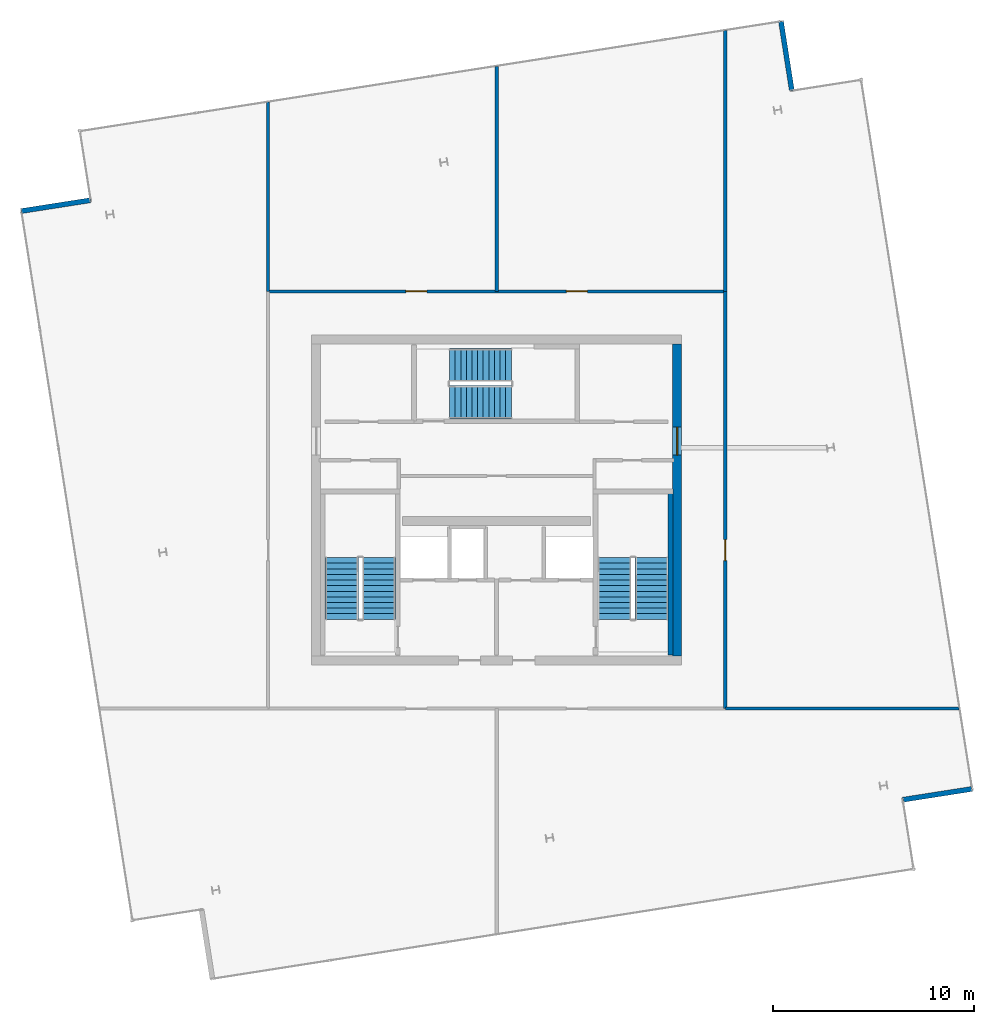
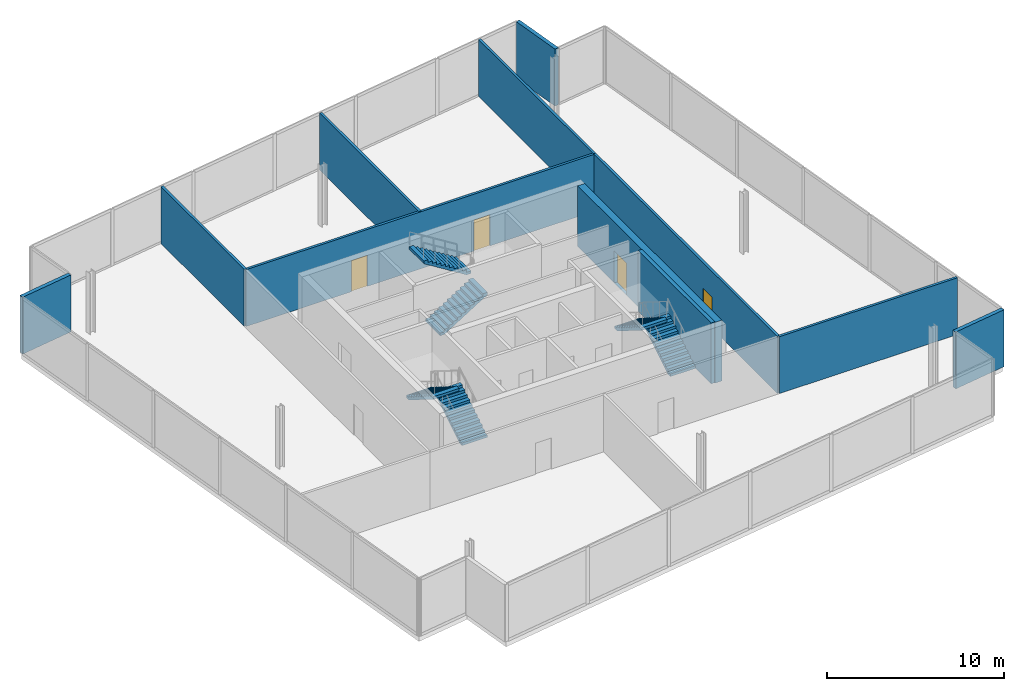
# One storey, part 12 of 13: 11 walls, 6 stair flights, 4 doors, 4 openings, 3 elements without a shape of their own.
"""IFC4 building model written with IfcOpenShell, lengths in metres."""

from ifc_helpers import new_model, si_unit, direction, frame, frame_2d, origin, place, context, subcontext, project, spatial, polyline, rectangle, outline, extrude, material, layer, layer_set, type_object, element, fill, aggregate, save


model = new_model("IFC4")

# Units and contexts
model_context = context("Model", 3, precision=1e-05, world=origin(), true_north=direction((0.0, 1.0)))
body_context = subcontext(model_context, "Body", "Model", "MODEL_VIEW")
ifc_project = project(units=[si_unit("LENGTHUNIT", "METRE"), si_unit("AREAUNIT", "SQUARE_METRE"), si_unit("VOLUMEUNIT", "CUBIC_METRE"), si_unit("PLANEANGLEUNIT", "RADIAN"), si_unit("MASSUNIT", "GRAM", prefix="KILO")], contexts=[model_context])

# Site, building, storey
site_placement = place(None, origin())
site = spatial("IfcSite", under=ifc_project, at=site_placement, CompositionType="ELEMENT")
building_placement = place(site_placement, origin())
building = spatial("IfcBuilding", under=site, at=building_placement, Name="Haldenkirk Collegiate Tower", CompositionType="ELEMENT")
storey_placement = place(building_placement, frame((0.0, 0.0, 356.39990234375)))
storey = spatial("IfcBuildingStorey", under=building, at=storey_placement, Name="L90", CompositionType="ELEMENT", Elevation=356.39990234375)

# Wall, opening, door
ifc_material_1 = material(Name="Concrete f'c 55 MPa", Category="concrete")
ifc_layer_1 = layer(ifc_material_1, 0.449951171875)
ifc_layer_set_1 = layer_set([ifc_layer_1], Name="Concrete f'c 55 MPa")
wall_type_1 = type_object("IfcWallType", Name="WL-CORE-450", PredefinedType="SHEAR", material=ifc_layer_set_1)
wall_1_placement = place(storey_placement, frame((45.0, 18.22509765625, 0.0), z_axis=(0.0, 0.0, 1.0), x_axis=(0.0, 1.0, 0.0)))
wall_1 = element("IfcWall", 1, at=wall_1_placement, inside=storey, type_object=wall_type_1, Name="L90 central core shear wall E", PredefinedType="SHEAR", context=body_context, shape_type="SweptSolid", body=[
    extrude(rectangle(XDim=15.5498046875, YDim=0.449951171875, at=frame_2d((7.77490234375, 0.0))), origin(), (0.0, 0.0, 1.0), 4.2001953125),
])
opening_1_placement = place(wall_1_placement, frame((10.014892578125, 0.0, 0.0)))
opening_1 = element("IfcOpeningElement", 2, at=opening_1_placement, cuts=wall_1, Name="Opening D-03", PredefinedType="OPENING", context=body_context, shape_type="SweptSolid", body=[
    extrude(rectangle(XDim=1.39990234375, YDim=2.199951171875, at=frame_2d((0.699951171875, 1.10009765625))), frame((0.0, 0.23486328125, 0.0), z_axis=(0.0, -1.0, 0.0), x_axis=(1.0, 0.0, 0.0)), (0.0, 0.0, 1.0), 0.469970703125),
])
ifc_material_2 = material(Name="Galvanized fire-rated hollow steel door", Category="steel")
ifc_layer_2 = layer(ifc_material_2, 0.06005859375)
ifc_layer_set_2 = layer_set([ifc_layer_2], Name="Galvanized fire-rated hollow steel door")
door_type_1 = type_object("IfcDoorType", Name="DR-LOBBY-FD90-1400", OperationType="NOTDEFINED", PredefinedType="DOOR", material=ifc_layer_set_2)
door_1_placement = place(opening_1_placement, origin())
door_1 = element("IfcDoor", 3, at=door_1_placement, inside=storey, type_object=door_type_1, Name="L90 east lift lobby portal", OperationType="DOUBLE_DOOR_SINGLE_SWING", OverallHeight=2.199951171875, OverallWidth=1.39990234375, PredefinedType="DOOR", context=body_context, shape_type="SweptSolid", body=[
    extrude(rectangle(XDim=1.39990234375, YDim=2.199951171875, at=frame_2d((0.699951171875, 1.10009765625))), frame((0.0, 0.02490234375, 0.0), z_axis=(0.0, -1.0, 0.0), x_axis=(1.0, 0.0, 0.0)), (0.0, 0.0, 1.0), 0.050048828125),
])
fill(opening_1, door_1)

# Walls
ifc_material_3 = material(Name="Precast concrete f'c 40 MPa", Category="concrete")
ifc_layer_3 = layer(ifc_material_3, 0.25)
ifc_layer_set_3 = layer_set([ifc_layer_3], Name="Precast concrete f'c 40 MPa")
wall_type_2 = type_object("IfcWallType", Name="WL-EXT-CRN-250", PredefinedType="STANDARD", material=ifc_layer_set_3)
wall_2_placement = place(storey_placement, frame((50.176025390625, 49.880615234375, 0.0), z_axis=(0.0, 0.0, 1.0), x_axis=(0.154719468176, -0.987958443543, 0.0)))
element("IfcWall", 4, at=wall_2_placement, inside=storey, type_object=wall_type_2, Name="L90 crown bronze precast enclosure wall 03", PredefinedType="STANDARD", context=body_context, shape_type="SweptSolid", body=[
    extrude(rectangle(XDim=3.5, YDim=0.25, at=frame_2d((1.75, 0.0))), origin(), (0.0, 0.0, 1.0), 3.93017578125),
])
for number, where, z_axis, x_axis, name in (
    (5, (12.285888671875, 40.404541015625, 0.0), (0.0, 0.0, 1.0), (0.987960113204, 0.154708806205, 0.0), "L90 crown bronze precast enclosure wall 06"),
    (6, (59.714111328125, 11.595458984375, 0.0), (0.0, 0.0, 1.0), (-0.987960113204, -0.154708806205, 0.0), "L90 crown bronze precast enclosure wall 12"),
):
    element("IfcWall", number, at=place(storey_placement, frame(where, z_axis=z_axis, x_axis=x_axis)), inside=storey, type_object=wall_type_2, Name=name, PredefinedType="STANDARD", context=body_context, shape_type="SweptSolid", body=[
        extrude(rectangle(XDim=3.500244140625, YDim=0.25, at=frame_2d((1.75, 0.0))), origin(), (0.0, 0.0, 1.0), 3.93017578125),
    ])

# Wall, openings, doors
ifc_material_4 = material(Name="Acoustic fire-rated gypsum partition", Category="concrete")
ifc_layer_4 = layer(ifc_material_4, 0.159912109375)
ifc_layer_set_4 = layer_set([ifc_layer_4], Name="Acoustic fire-rated gypsum partition")
wall_type_3 = type_object("IfcWallType", Name="WL-INT-CORR-160", PredefinedType="PARTITIONING", material=ifc_layer_set_4)
wall_3_placement = place(storey_placement, frame((24.60009765625, 36.39990234375, 0.0), z_axis=(0.0, 0.0, 1.0), x_axis=(1.0, 0.0, 0.0)))
wall_3 = element("IfcWall", 7, at=wall_3_placement, inside=storey, type_object=wall_type_3, Name="L90 interior partition IW-L90-CN", PredefinedType="PARTITIONING", context=body_context, shape_type="SweptSolid", body=[
    extrude(rectangle(XDim=22.7998046875, YDim=0.159912109375, at=frame_2d((11.39990234375, 0.0))), origin(), (0.0, 0.0, 1.0), 3.93017578125),
])
opening_2_placement = place(wall_3_placement, frame((6.875, 0.0, 0.0)))
opening_2 = element("IfcOpeningElement", 8, at=opening_2_placement, cuts=wall_3, Name="Opening D-09", PredefinedType="OPENING", context=body_context, shape_type="SweptSolid", body=[
    extrude(rectangle(XDim=1.050048828125, YDim=2.14990234375, at=frame_2d((0.52490234375, 1.074951171875))), frame((0.0, 0.08984375, 0.0), z_axis=(0.0, -1.0, 0.0), x_axis=(1.0, 0.0, 0.0)), (0.0, 0.0, 1.0), 0.179931640625),
])
opening_3_placement = place(wall_3_placement, frame((14.875, 0.0, 0.0)))
opening_3 = element("IfcOpeningElement", 9, at=opening_3_placement, cuts=wall_3, Name="Opening D-09", PredefinedType="OPENING", context=body_context, shape_type="SweptSolid", body=[
    extrude(rectangle(XDim=1.050048828125, YDim=2.14990234375, at=frame_2d((0.52490234375, 1.074951171875))), frame((0.0, 0.08984375, 0.0), z_axis=(0.0, -1.0, 0.0), x_axis=(1.0, 0.0, 0.0)), (0.0, 0.0, 1.0), 0.179931640625),
])
ifc_material_5 = material(Name="Solid-core architectural oak fire door", Category="wood")
ifc_layer_5 = layer(ifc_material_5, 0.06005859375)
ifc_layer_set_5 = layer_set([ifc_layer_5], Name="Solid-core architectural oak fire door")
door_type_2 = type_object("IfcDoorType", Name="DR-INT-FD60-1050", OperationType="NOTDEFINED", PredefinedType="DOOR", material=ifc_layer_set_5)
door_2_placement = place(opening_2_placement, origin())
door_2 = element("IfcDoor", 10, at=door_2_placement, inside=storey, type_object=door_type_2, Name="L90 crown NW plant door", OperationType="SINGLE_SWING_RIGHT", OverallHeight=2.14990234375, OverallWidth=1.050048828125, PredefinedType="DOOR", context=body_context, shape_type="SweptSolid", body=[
    extrude(rectangle(XDim=1.050048828125, YDim=2.14990234375, at=frame_2d((0.52490234375, 1.074951171875))), frame((0.0, 0.02490234375, 0.0), z_axis=(0.0, -1.0, 0.0), x_axis=(1.0, 0.0, 0.0)), (0.0, 0.0, 1.0), 0.050048828125),
])
fill(opening_2, door_2)
door_3_placement = place(opening_3_placement, origin())
door_3 = element("IfcDoor", 11, at=door_3_placement, inside=storey, type_object=door_type_2, Name="L90 crown NE plant door", OperationType="SINGLE_SWING_LEFT", OverallHeight=2.14990234375, OverallWidth=1.050048828125, PredefinedType="DOOR", context=body_context, shape_type="SweptSolid", body=[
    extrude(rectangle(XDim=1.050048828125, YDim=2.14990234375, at=frame_2d((0.52490234375, 1.074951171875))), frame((0.0, 0.02490234375, 0.0), z_axis=(0.0, -1.0, 0.0), x_axis=(1.0, 0.0, 0.0)), (0.0, 0.0, 1.0), 0.050048828125),
])
fill(opening_3, door_3)

# Wall, opening, door
wall_4_placement = place(storey_placement, frame((47.39990234375, 15.60009765625, 0.0), z_axis=(0.0, 0.0, 1.0), x_axis=(0.0, 1.0, 0.0)))
wall_4 = element("IfcWall", 12, at=wall_4_placement, inside=storey, type_object=wall_type_3, Name="L90 interior partition IW-L90-CE", PredefinedType="PARTITIONING", context=body_context, shape_type="SweptSolid", body=[
    extrude(rectangle(XDim=20.7998046875, YDim=0.159912109375, at=frame_2d((10.39990234375, 0.0))), origin(), (0.0, 0.0, 1.0), 3.93017578125),
])
opening_4_placement = place(wall_4_placement, frame((7.375, 0.0, 0.0)))
opening_4 = element("IfcOpeningElement", 13, at=opening_4_placement, cuts=wall_4, Name="Opening D-09", PredefinedType="OPENING", context=body_context, shape_type="SweptSolid", body=[
    extrude(rectangle(XDim=1.050048828125, YDim=2.14990234375, at=frame_2d((0.52490234375, 1.074951171875))), frame((0.0, 0.08984375, 0.0), z_axis=(0.0, -1.0, 0.0), x_axis=(1.0, 0.0, 0.0)), (0.0, 0.0, 1.0), 0.179931640625),
])
door_4_placement = place(opening_4_placement, origin())
door_4 = element("IfcDoor", 14, at=door_4_placement, inside=storey, type_object=door_type_2, Name="L90 crown E plant door", OperationType="SINGLE_SWING_LEFT", OverallHeight=2.14990234375, OverallWidth=1.050048828125, PredefinedType="DOOR", context=body_context, shape_type="SweptSolid", body=[
    extrude(rectangle(XDim=1.050048828125, YDim=2.14990234375, at=frame_2d((0.52490234375, 1.074951171875))), frame((0.0, 0.02490234375, 0.0), z_axis=(0.0, -1.0, 0.0), x_axis=(1.0, 0.0, 0.0)), (0.0, 0.0, 1.0), 0.050048828125),
])
fill(opening_4, door_4)

# Walls
wall_5_placement = place(storey_placement, frame((36.0, 36.39990234375, 0.0), z_axis=(0.0, 0.0, 1.0), x_axis=(0.0, 1.0, 0.0)))
element("IfcWall", 15, at=wall_5_placement, inside=storey, type_object=wall_type_3, Name="L90 interior partition IW-L90-D2", PredefinedType="PARTITIONING", context=body_context, shape_type="SweptSolid", body=[
    extrude(rectangle(XDim=11.220458984375, YDim=0.159912109375, at=frame_2d((5.6103515625, 0.0))), origin(), (0.0, 0.0, 1.0), 3.93017578125),
])
wall_6_placement = place(storey_placement, frame((47.39990234375, 15.60009765625, 0.0), z_axis=(0.0, 0.0, 1.0), x_axis=(1.0, 0.0, 0.0)))
element("IfcWall", 16, at=wall_6_placement, inside=storey, type_object=wall_type_3, Name="L90 interior partition IW-L90-D4", PredefinedType="PARTITIONING", context=body_context, shape_type="SweptSolid", body=[
    extrude(rectangle(XDim=11.646484375, YDim=0.159912109375, at=frame_2d((5.8232421875, 0.0))), origin(), (0.0, 0.0, 1.0), 3.93017578125),
])
wall_7_placement = place(storey_placement, frame((24.60009765625, 36.39990234375, 0.0), z_axis=(0.0, 0.0, 1.0), x_axis=(0.0, 1.0, 0.0)))
element("IfcWall", 17, at=wall_7_placement, inside=storey, type_object=wall_type_3, Name="L90 interior partition IW-L90-D5", PredefinedType="PARTITIONING", context=body_context, shape_type="SweptSolid", body=[
    extrude(rectangle(XDim=9.435302734375, YDim=0.159912109375, at=frame_2d((4.7177734375, 0.0))), origin(), (0.0, 0.0, 1.0), 3.93017578125),
])
wall_8_placement = place(storey_placement, frame((47.39990234375, 36.39990234375, 0.0), z_axis=(0.0, 0.0, 1.0), x_axis=(0.0, 1.0, 0.0)))
element("IfcWall", 18, at=wall_8_placement, inside=storey, type_object=wall_type_3, Name="L90 interior partition IW-L90-D6", PredefinedType="PARTITIONING", context=body_context, shape_type="SweptSolid", body=[
    extrude(rectangle(XDim=13.005615234375, YDim=0.159912109375, at=frame_2d((6.5029296875, 0.0))), origin(), (0.0, 0.0, 1.0), 3.93017578125),
])
ifc_layer_6 = layer(ifc_material_1, 0.239990234375)
ifc_layer_set_6 = layer_set([ifc_layer_6], Name="Concrete f'c 55 MPa")
wall_type_4 = type_object("IfcWallType", Name="WL-SHAFT-240", PredefinedType="SHEAR", material=ifc_layer_set_6)
wall_9_placement = place(storey_placement, frame((44.669921875, 18.280029296875, 0.0), z_axis=(0.0, 0.0, 1.0), x_axis=(0.0, 1.0, 0.0)))
element("IfcWall", 19, at=wall_9_placement, inside=storey, type_object=wall_type_4, Name="L90 stair shaft shear wall SW-L90-ST2E", PredefinedType="SHEAR", context=body_context, shape_type="SweptSolid", body=[
    extrude(rectangle(XDim=8.260009765625, YDim=0.239990234375, at=frame_2d((4.1298828125, 0.0))), origin(), (0.0, 0.0, 1.0), 4.2001953125),
])

# Stair, stair flights
ifc_material_6 = material(Name="Concrete f'c 40 MPa", Category="concrete")
stair_type = type_object("IfcStairType", Name="STR-DOGLEG-1650", PredefinedType="HALF_TURN_STAIR", material=ifc_material_6)
stair_1_placement = place(storey_placement, origin())
stair_1 = element("IfcStair", 20, at=stair_1_placement, inside=storey, type_object=stair_type, Name="L90 Core Exit Stair ST-1", PredefinedType="HALF_TURN_STAIR")
stair_flight_type = type_object("IfcStairFlightType", Name="STF-FLIGHT-1650", PredefinedType="STRAIGHT", material=ifc_material_6)
stair_flight_1_placement = place(storey_placement, frame((30.125, 20.050048828125, 0.0), z_axis=(0.0, 0.0, 1.0), x_axis=(0.0, 1.0, 0.0)))
stair_flight_1 = element("IfcStairFlight", 21, at=stair_flight_1_placement, type_object=stair_flight_type, Name="ST-1 flight 1", NumberOfRisers=12, NumberOfTreads=11, PredefinedType="STRAIGHT", RiserHeight=0.175, TreadLength=0.28, context=body_context, shape_type="SweptSolid", body=[
    extrude(outline(polyline([(0.0, 0.0), (0.0, 0.175048828125), (0.280029296875, 0.175048828125), (0.280029296875, 0.35009765625), (0.56005859375, 0.35009765625), (0.56005859375, 0.52490234375), (0.840087890625, 0.52490234375), (0.840087890625, 0.699951171875), (1.1201171875, 0.699951171875), (1.1201171875, 0.875), (1.39990234375, 0.875), (1.39990234375, 1.050048828125), (1.679931640625, 1.050048828125), (1.679931640625, 1.22509765625), (1.9599609375, 1.22509765625), (1.9599609375, 1.39990234375), (2.239990234375, 1.39990234375), (2.239990234375, 1.574951171875), (2.52001953125, 1.574951171875), (2.52001953125, 1.75), (2.800048828125, 1.75), (2.800048828125, 1.925048828125), (3.080078125, 1.925048828125), (3.080078125, 2.10009765625), (3.080078125, 1.748291015625), (0.28271484375, 0.0), (0.0, 0.0)])), frame((0.0, 0.824951171875, 0.0), z_axis=(0.0, -1.0, 0.0), x_axis=(1.0, 0.0, 0.0)), (0.0, 0.0, 1.0), 1.64990234375),
])
stair_flight_2_placement = place(storey_placement, frame((28.27490234375, 23.1298828125, 2.10009765625), z_axis=(0.0, 0.0, 1.0), x_axis=(0.0, -1.0, 0.0)))
stair_flight_2 = element("IfcStairFlight", 22, at=stair_flight_2_placement, type_object=stair_flight_type, Name="ST-1 flight 2", NumberOfRisers=12, NumberOfTreads=11, PredefinedType="STRAIGHT", RiserHeight=0.175, TreadLength=0.28, context=body_context, shape_type="SweptSolid", body=[
    extrude(outline(polyline([(0.0, 0.0), (0.0, 0.175048828125), (0.280029296875, 0.175048828125), (0.280029296875, 0.35009765625), (0.56005859375, 0.35009765625), (0.56005859375, 0.52490234375), (0.840087890625, 0.52490234375), (0.840087890625, 0.699951171875), (1.1201171875, 0.699951171875), (1.1201171875, 0.875), (1.39990234375, 0.875), (1.39990234375, 1.050048828125), (1.679931640625, 1.050048828125), (1.679931640625, 1.22509765625), (1.9599609375, 1.22509765625), (1.9599609375, 1.39990234375), (2.239990234375, 1.39990234375), (2.239990234375, 1.574951171875), (2.52001953125, 1.574951171875), (2.52001953125, 1.75), (2.800048828125, 1.75), (2.800048828125, 1.925048828125), (3.080078125, 1.925048828125), (3.080078125, 2.10009765625), (3.080078125, 1.748291015625), (0.28271484375, 0.0), (0.0, 0.0)])), frame((0.0, 0.824951171875, 0.0), z_axis=(0.0, -1.0, 0.0), x_axis=(1.0, 0.0, 0.0)), (0.0, 0.0, 1.0), 1.64990234375),
])
aggregate(stair_1, [stair_flight_1, stair_flight_2])

stair_2_placement = place(storey_placement, origin())
stair_2 = element("IfcStair", 23, at=stair_2_placement, inside=storey, type_object=stair_type, Name="L90 Core Exit Stair ST-2", PredefinedType="HALF_TURN_STAIR")
stair_flight_3_placement = place(storey_placement, frame((43.72509765625, 20.050048828125, 0.0), z_axis=(0.0, 0.0, 1.0), x_axis=(0.0, 1.0, 0.0)))
stair_flight_3 = element("IfcStairFlight", 24, at=stair_flight_3_placement, type_object=stair_flight_type, Name="ST-2 flight 1", NumberOfRisers=12, NumberOfTreads=11, PredefinedType="STRAIGHT", RiserHeight=0.175, TreadLength=0.28, context=body_context, shape_type="SweptSolid", body=[
    extrude(outline(polyline([(0.0, 0.0), (0.0, 0.175048828125), (0.280029296875, 0.175048828125), (0.280029296875, 0.35009765625), (0.56005859375, 0.35009765625), (0.56005859375, 0.52490234375), (0.840087890625, 0.52490234375), (0.840087890625, 0.699951171875), (1.1201171875, 0.699951171875), (1.1201171875, 0.875), (1.39990234375, 0.875), (1.39990234375, 1.050048828125), (1.679931640625, 1.050048828125), (1.679931640625, 1.22509765625), (1.9599609375, 1.22509765625), (1.9599609375, 1.39990234375), (2.239990234375, 1.39990234375), (2.239990234375, 1.574951171875), (2.52001953125, 1.574951171875), (2.52001953125, 1.75), (2.800048828125, 1.75), (2.800048828125, 1.925048828125), (3.080078125, 1.925048828125), (3.080078125, 2.10009765625), (3.080078125, 1.748291015625), (0.28271484375, 0.0), (0.0, 0.0)])), frame((0.0, 0.824951171875, 0.0), z_axis=(0.0, -1.0, 0.0), x_axis=(1.0, 0.0, 0.0)), (0.0, 0.0, 1.0), 1.64990234375),
])
stair_flight_4_placement = place(storey_placement, frame((41.875, 23.1298828125, 2.10009765625), z_axis=(0.0, 0.0, 1.0), x_axis=(0.0, -1.0, 0.0)))
stair_flight_4 = element("IfcStairFlight", 25, at=stair_flight_4_placement, type_object=stair_flight_type, Name="ST-2 flight 2", NumberOfRisers=12, NumberOfTreads=11, PredefinedType="STRAIGHT", RiserHeight=0.175, TreadLength=0.28, context=body_context, shape_type="SweptSolid", body=[
    extrude(outline(polyline([(0.0, 0.0), (0.0, 0.175048828125), (0.280029296875, 0.175048828125), (0.280029296875, 0.35009765625), (0.56005859375, 0.35009765625), (0.56005859375, 0.52490234375), (0.840087890625, 0.52490234375), (0.840087890625, 0.699951171875), (1.1201171875, 0.699951171875), (1.1201171875, 0.875), (1.39990234375, 0.875), (1.39990234375, 1.050048828125), (1.679931640625, 1.050048828125), (1.679931640625, 1.22509765625), (1.9599609375, 1.22509765625), (1.9599609375, 1.39990234375), (2.239990234375, 1.39990234375), (2.239990234375, 1.574951171875), (2.52001953125, 1.574951171875), (2.52001953125, 1.75), (2.800048828125, 1.75), (2.800048828125, 1.925048828125), (3.080078125, 1.925048828125), (3.080078125, 2.10009765625), (3.080078125, 1.748291015625), (0.28271484375, 0.0), (0.0, 0.0)])), frame((0.0, 0.824951171875, 0.0), z_axis=(0.0, -1.0, 0.0), x_axis=(1.0, 0.0, 0.0)), (0.0, 0.0, 1.0), 1.64990234375),
])
aggregate(stair_2, [stair_flight_3, stair_flight_4])

stair_3_placement = place(storey_placement, origin())
stair_3 = element("IfcStair", 26, at=stair_3_placement, inside=storey, type_object=stair_type, Name="L90 Core Exit Stair ST-3", PredefinedType="HALF_TURN_STAIR")
stair_flight_5_placement = place(storey_placement, frame((33.64990234375, 30.875, 0.0), z_axis=(0.0, 0.0, 1.0), x_axis=(1.0, 0.0, 0.0)))
stair_flight_5 = element("IfcStairFlight", 27, at=stair_flight_5_placement, type_object=stair_flight_type, Name="ST-3 flight 1", NumberOfRisers=12, NumberOfTreads=11, PredefinedType="STRAIGHT", RiserHeight=0.175, TreadLength=0.28, context=body_context, shape_type="SweptSolid", body=[
    extrude(outline(polyline([(0.0, 0.0), (0.0, 0.175048828125), (0.280029296875, 0.175048828125), (0.280029296875, 0.35009765625), (0.56005859375, 0.35009765625), (0.56005859375, 0.52490234375), (0.840087890625, 0.52490234375), (0.840087890625, 0.699951171875), (1.1201171875, 0.699951171875), (1.1201171875, 0.875), (1.39990234375, 0.875), (1.39990234375, 1.050048828125), (1.679931640625, 1.050048828125), (1.679931640625, 1.22509765625), (1.9599609375, 1.22509765625), (1.9599609375, 1.39990234375), (2.239990234375, 1.39990234375), (2.239990234375, 1.574951171875), (2.52001953125, 1.574951171875), (2.52001953125, 1.75), (2.800048828125, 1.75), (2.800048828125, 1.925048828125), (3.080078125, 1.925048828125), (3.080078125, 2.10009765625), (3.080078125, 1.748291015625), (0.28271484375, 0.0), (0.0, 0.0)])), frame((0.0, 0.824951171875, 0.0), z_axis=(0.0, -1.0, 0.0), x_axis=(1.0, 0.0, 0.0)), (0.0, 0.0, 1.0), 1.64990234375),
])
stair_flight_6_placement = place(storey_placement, frame((36.72998046875, 32.72509765625, 2.10009765625), z_axis=(0.0, 0.0, 1.0), x_axis=(-1.0, 0.0, 0.0)))
stair_flight_6 = element("IfcStairFlight", 28, at=stair_flight_6_placement, type_object=stair_flight_type, Name="ST-3 flight 2", NumberOfRisers=12, NumberOfTreads=11, PredefinedType="STRAIGHT", RiserHeight=0.175, TreadLength=0.28, context=body_context, shape_type="SweptSolid", body=[
    extrude(outline(polyline([(0.0, 0.0), (0.0, 0.175048828125), (0.280029296875, 0.175048828125), (0.280029296875, 0.35009765625), (0.56005859375, 0.35009765625), (0.56005859375, 0.52490234375), (0.840087890625, 0.52490234375), (0.840087890625, 0.699951171875), (1.1201171875, 0.699951171875), (1.1201171875, 0.875), (1.39990234375, 0.875), (1.39990234375, 1.050048828125), (1.679931640625, 1.050048828125), (1.679931640625, 1.22509765625), (1.9599609375, 1.22509765625), (1.9599609375, 1.39990234375), (2.239990234375, 1.39990234375), (2.239990234375, 1.574951171875), (2.52001953125, 1.574951171875), (2.52001953125, 1.75), (2.800048828125, 1.75), (2.800048828125, 1.925048828125), (3.080078125, 1.925048828125), (3.080078125, 2.10009765625), (3.080078125, 1.748291015625), (0.28271484375, 0.0), (0.0, 0.0)])), frame((0.0, 0.824951171875, 0.0), z_axis=(0.0, -1.0, 0.0), x_axis=(1.0, 0.0, 0.0)), (0.0, 0.0, 1.0), 1.64990234375),
])
aggregate(stair_3, [stair_flight_5, stair_flight_6])

save(model, "model.ifc")
